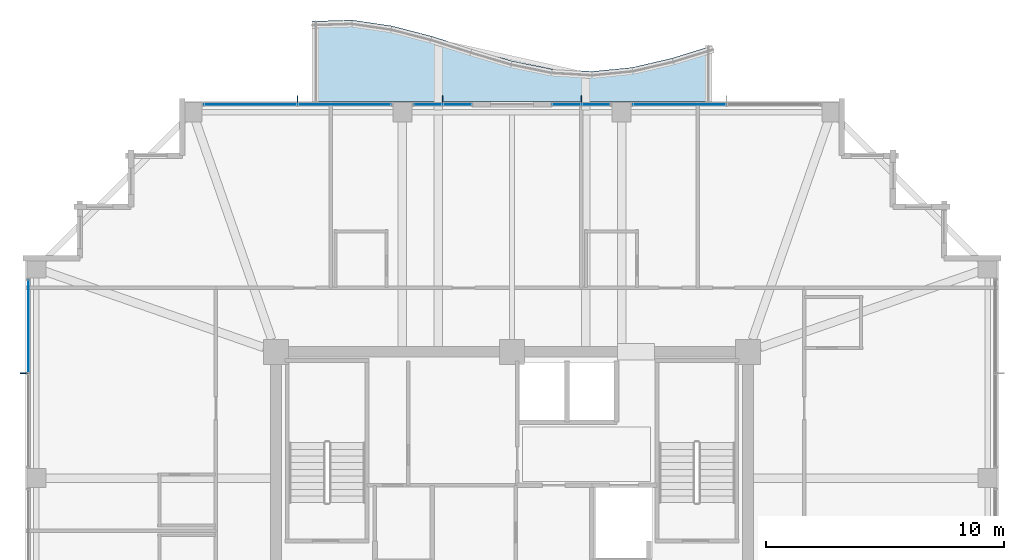
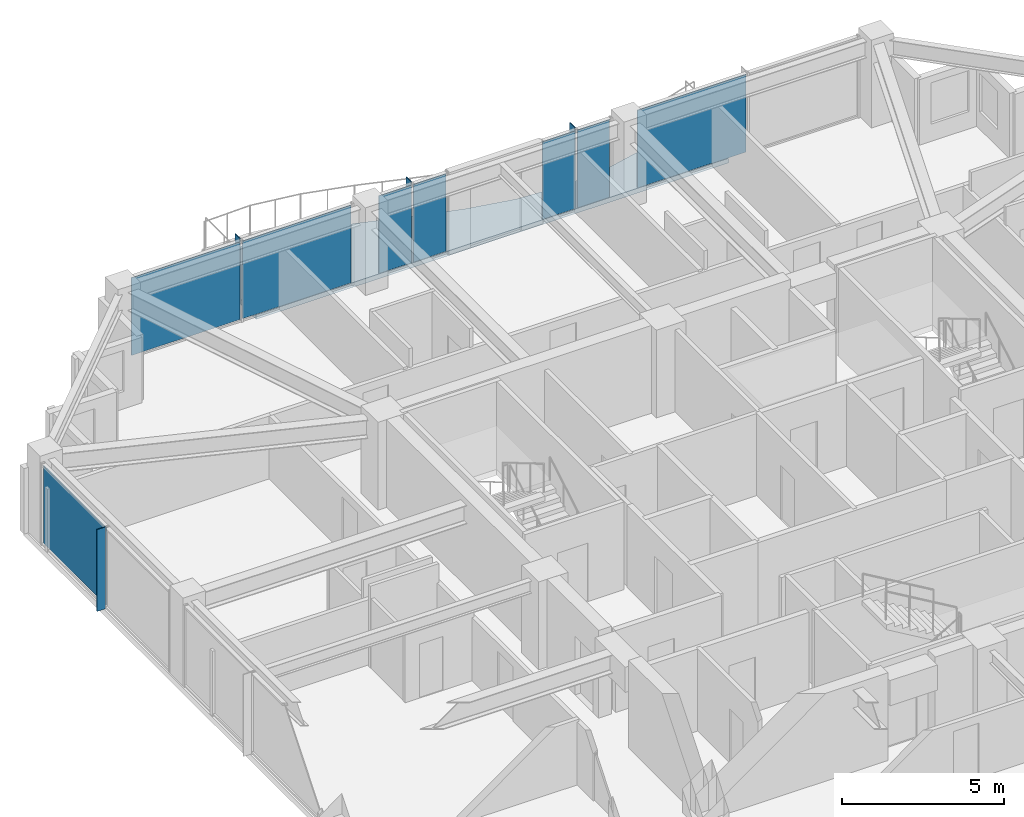
# One storey, part 28 of 36: 12 plates, 1 slab, 5 elements without a shape of their own.
"""IFC4 building model written with IfcOpenShell, lengths in metres."""

from ifc_helpers import new_model, si_unit, direction, frame, origin, origin_2d, place, context, subcontext, project, spatial, polyline, rectangle, outline, extrude, material, layer, layer_set, type_object, element, aggregate, save


model = new_model("IFC4")

# Units and contexts
model_context = context("Model", 3, precision=1e-05, world=origin(), true_north=direction((0.0, 1.0)))
body_context = subcontext(model_context, "Body", "Model", "MODEL_VIEW")
ifc_project = project(units=[si_unit("LENGTHUNIT", "METRE"), si_unit("AREAUNIT", "SQUARE_METRE"), si_unit("VOLUMEUNIT", "CUBIC_METRE"), si_unit("PLANEANGLEUNIT", "RADIAN"), si_unit("MASSUNIT", "GRAM", prefix="KILO")], contexts=[model_context])

# Site, building, storey
site_placement = place(None, origin())
site = spatial("IfcSite", under=ifc_project, at=site_placement, CompositionType="ELEMENT")
building_placement = place(site_placement, origin())
building = spatial("IfcBuilding", under=site, at=building_placement, Name="Kolvaren Belvedere", CompositionType="ELEMENT")
storey_placement = place(building_placement, frame((0.0, 0.0, 226.199951171875)))
storey = spatial("IfcBuildingStorey", under=building, at=storey_placement, Name="L66", CompositionType="ELEMENT", Elevation=226.199951171875)

# Curtain wall, plates
ifc_material_1 = material(Name="Anodised pale-metal aluminium AA 6063-T6", Category="aluminium")
curtain_wall_type = type_object("IfcCurtainWallType", Name="CW-Z5-HIGH", PredefinedType="NOTDEFINED", material=ifc_material_1)
curtain_wall_1_placement = place(storey_placement, origin())
curtain_wall_1 = element("IfcCurtainWall", 1, at=curtain_wall_1_placement, inside=storey, type_object=curtain_wall_type, Name="L66 Unitised Curtain Wall FCW-L66-N1-B1", PredefinedType="NOTDEFINED")
ifc_material_2 = material(Name="Low-iron triple insulated glass", Category="glass")
ifc_layer_1 = layer(ifc_material_2, 0.028076171875)
ifc_layer_set_1 = layer_set([ifc_layer_1], Name="Low-iron triple insulated glass")
plate_type_1 = type_object("IfcPlateType", Name="CW-PNL-VIS28", PredefinedType="CURTAIN_PANEL", material=ifc_layer_set_1)
plate_1_placement = place(storey_placement, frame((-10.972412109375, 20.280029296875, 0.080078125), z_axis=(0.0, 0.0, 1.0), x_axis=(1.0, 0.0, 0.0)))
plate_1 = element("IfcPlate", 2, at=plate_1_placement, type_object=plate_type_1, Name="FCW-L66-N1-B1 Vision Glazing Panel 1", PredefinedType="CURTAIN_PANEL", context=body_context, shape_type="SweptSolid", body=[
    extrude(rectangle(XDim=3.864990234375, YDim=0.028076171875, at=origin_2d()), origin(), (0.0, 0.0, 1.0), 2.919921875),
])
plate_2_placement = place(storey_placement, frame((-7.027587890625, 20.280029296875, 0.080078125), z_axis=(0.0, 0.0, 1.0), x_axis=(1.0, 0.0, 0.0)))
plate_2 = element("IfcPlate", 3, at=plate_2_placement, type_object=plate_type_1, Name="FCW-L66-N1-B1 Vision Glazing Panel 2", PredefinedType="CURTAIN_PANEL", context=body_context, shape_type="SweptSolid", body=[
    extrude(rectangle(XDim=3.864990234375, YDim=0.028076171875, at=origin_2d()), origin(), (0.0, 0.0, 1.0), 2.919921875),
])
aggregate(curtain_wall_1, [plate_1, plate_2])

curtain_wall_2_placement = place(storey_placement, origin())
curtain_wall_2 = element("IfcCurtainWall", 4, at=curtain_wall_2_placement, inside=storey, type_object=curtain_wall_type, Name="L66 Unitised Curtain Wall FCW-L66-N1-B2", PredefinedType="NOTDEFINED")
plate_3_placement = place(storey_placement, frame((-3.52880859375, 20.280029296875, 0.080078125), z_axis=(0.0, 0.0, 1.0), x_axis=(1.0, 0.0, 0.0)))
plate_3 = element("IfcPlate", 5, at=plate_3_placement, type_object=plate_type_1, Name="FCW-L66-N1-B2 Vision Glazing Panel 1", PredefinedType="CURTAIN_PANEL", context=body_context, shape_type="SweptSolid", body=[
    extrude(rectangle(XDim=1.152587890625, YDim=0.028076171875, at=origin_2d()), origin(), (0.0, 0.0, 1.0), 2.919921875),
])
plate_4_placement = place(storey_placement, frame((-2.296142578125, 20.280029296875, 0.080078125), z_axis=(0.0, 0.0, 1.0), x_axis=(1.0, 0.0, 0.0)))
plate_4 = element("IfcPlate", 6, at=plate_4_placement, type_object=plate_type_1, Name="FCW-L66-N1-B2 Vision Glazing Panel 2", PredefinedType="CURTAIN_PANEL", context=body_context, shape_type="SweptSolid", body=[
    extrude(rectangle(XDim=1.152587890625, YDim=0.028076171875, at=origin_2d()), origin(), (0.0, 0.0, 1.0), 2.919921875),
])
aggregate(curtain_wall_2, [plate_3, plate_4])

curtain_wall_3_placement = place(storey_placement, origin())
curtain_wall_3 = element("IfcCurtainWall", 7, at=curtain_wall_3_placement, inside=storey, type_object=curtain_wall_type, Name="L66 Unitised Curtain Wall FCW-L66-N2-B1", PredefinedType="NOTDEFINED")
plate_5_placement = place(storey_placement, frame((2.296142578125, 20.280029296875, 0.080078125), z_axis=(0.0, 0.0, 1.0), x_axis=(1.0, 0.0, 0.0)))
plate_5 = element("IfcPlate", 8, at=plate_5_placement, type_object=plate_type_1, Name="FCW-L66-N2-B1 Vision Glazing Panel 1", PredefinedType="CURTAIN_PANEL", context=body_context, shape_type="SweptSolid", body=[
    extrude(rectangle(XDim=1.152587890625, YDim=0.028076171875, at=origin_2d()), origin(), (0.0, 0.0, 1.0), 2.919921875),
])
plate_6_placement = place(storey_placement, frame((3.52880859375, 20.280029296875, 0.080078125), z_axis=(0.0, 0.0, 1.0), x_axis=(1.0, 0.0, 0.0)))
plate_6 = element("IfcPlate", 9, at=plate_6_placement, type_object=plate_type_1, Name="FCW-L66-N2-B1 Vision Glazing Panel 2", PredefinedType="CURTAIN_PANEL", context=body_context, shape_type="SweptSolid", body=[
    extrude(rectangle(XDim=1.152587890625, YDim=0.028076171875, at=origin_2d()), origin(), (0.0, 0.0, 1.0), 2.919921875),
])
aggregate(curtain_wall_3, [plate_5, plate_6])

# Curtain wall, plate
curtain_wall_4_placement = place(storey_placement, origin())
curtain_wall_4 = element("IfcCurtainWall", 10, at=curtain_wall_4_placement, inside=storey, type_object=curtain_wall_type, Name="L66 Unitised Curtain Wall FCW-L66-N2-B2", PredefinedType="NOTDEFINED")
plate_7_placement = place(storey_placement, frame((7.027587890625, 20.280029296875, 0.080078125), z_axis=(0.0, 0.0, 1.0), x_axis=(1.0, 0.0, 0.0)))
plate_7 = element("IfcPlate", 11, at=plate_7_placement, type_object=plate_type_1, Name="FCW-L66-N2-B2 Vision Glazing Panel 1", PredefinedType="CURTAIN_PANEL", context=body_context, shape_type="SweptSolid", body=[
    extrude(rectangle(XDim=3.864990234375, YDim=0.028076171875, at=origin_2d()), origin(), (0.0, 0.0, 1.0), 2.919921875),
])
aggregate(curtain_wall_4, [plate_7])

curtain_wall_5_placement = place(storey_placement, origin())
curtain_wall_5 = element("IfcCurtainWall", 12, at=curtain_wall_5_placement, inside=storey, type_object=curtain_wall_type, Name="L66 Unitised Curtain Wall FCW-L66-W-B3", PredefinedType="NOTDEFINED")
plate_8_placement = place(storey_placement, frame((-20.280029296875, 10.972412109375, 0.080078125), z_axis=(0.0, 0.0, 1.0), x_axis=(0.0, 1.0, 0.0)))
plate_8 = element("IfcPlate", 13, at=plate_8_placement, type_object=plate_type_1, Name="FCW-L66-W-B3 Vision Glazing Panel 2", PredefinedType="CURTAIN_PANEL", context=body_context, shape_type="SweptSolid", body=[
    extrude(rectangle(XDim=3.864990234375, YDim=0.028076171875, at=origin_2d()), origin(), (0.0, 0.0, 1.0), 2.919921875),
])
aggregate(curtain_wall_5, [plate_8])

# Plates
ifc_material_3 = material(Name="Anodised pale-metal aluminium AA 6063-T6", Category="aluminium")
ifc_layer_2 = layer(ifc_material_3, 0.030029296875)
ifc_layer_set_2 = layer_set([ifc_layer_2], Name="Anodised pale-metal aluminium AA 6063-T6")
plate_type_2 = type_object("IfcPlateType", Name="FIN-VERT-300", PredefinedType="USERDEFINED", material=ifc_layer_set_2)
for number, where, z_axis, x_axis, name in (
    (14, (-9.0, 20.489990234375, 0.0), (0.0, 0.0, 1.0), (0.0, 1.0, 0.0), "L66 Pale-Metal Vertical Shading Fin FCW-L66-N1-B1-1"),
    (15, (-2.91259765625, 20.489990234375, 0.0), (0.0, 0.0, 1.0), (0.0, 1.0, 0.0), "L66 Pale-Metal Vertical Shading Fin FCW-L66-N1-B2-1"),
    (16, (2.91259765625, 20.489990234375, 0.0), (0.0, 0.0, 1.0), (0.0, 1.0, 0.0), "L66 Pale-Metal Vertical Shading Fin FCW-L66-N2-B1-1"),
    (17, (-20.489990234375, 9.0, 0.0), (0.0, 0.0, 1.0), (1.0, 0.0, 0.0), "L66 Pale-Metal Vertical Shading Fin FCW-L66-W-B3-1"),
):
    element("IfcPlate", number, at=place(storey_placement, frame(where, z_axis=z_axis, x_axis=x_axis)), inside=storey, type_object=plate_type_2, Name=name, ObjectType="VERTICAL FIN", PredefinedType="USERDEFINED", context=body_context, shape_type="SweptSolid", body=[
        extrude(rectangle(XDim=0.300048828125, YDim=0.030029296875, at=origin_2d()), origin(), (0.0, 0.0, 1.0), 3.080078125),
    ])

# Slab
ifc_material_4 = material(Name="Concrete C50/60", Category="concrete")
ifc_layer_3 = layer(ifc_material_4, 0.179931640625)
ifc_layer_set_3 = layer_set([ifc_layer_3], Name="Concrete C50/60")
slab_type = type_object("IfcSlabType", Name="SL-BAL-180", PredefinedType="FLOOR", material=ifc_layer_set_3)
slab_placement = place(storey_placement, frame((0.0, 0.0, -0.219970703125)))
element("IfcSlab", 18, at=slab_placement, inside=storey, type_object=slab_type, Name="L66 Planted Balcony BAL-N", PredefinedType="FLOOR", context=body_context, shape_type="SweptSolid", body=[
    extrude(outline(polyline([(-8.39990234375, 20.39990234375), (-6.719970703125, 20.39990234375), (-5.0400390625, 20.39990234375), (-3.360107421875, 20.39990234375), (-1.679931640625, 20.39990234375), (0.0, 20.39990234375), (1.679931640625, 20.39990234375), (3.360107421875, 20.39990234375), (5.0400390625, 20.39990234375), (6.719970703125, 20.39990234375), (8.39990234375, 20.39990234375), (8.39990234375, 22.739990234375), (6.719970703125, 22.2197265625), (5.0400390625, 21.828125), (3.360107421875, 21.662109375), (1.679931640625, 21.7626953125), (0.0, 22.105224609375), (-1.679931640625, 22.6044921875), (-3.360107421875, 23.1376953125), (-5.0400390625, 23.572265625), (-6.719970703125, 23.820068359375), (-8.39990234375, 23.76708984375), (-8.39990234375, 20.39990234375)])), origin(), (0.0, 0.0, 1.0), 0.179931640625),
])

save(model, "model.ifc")
